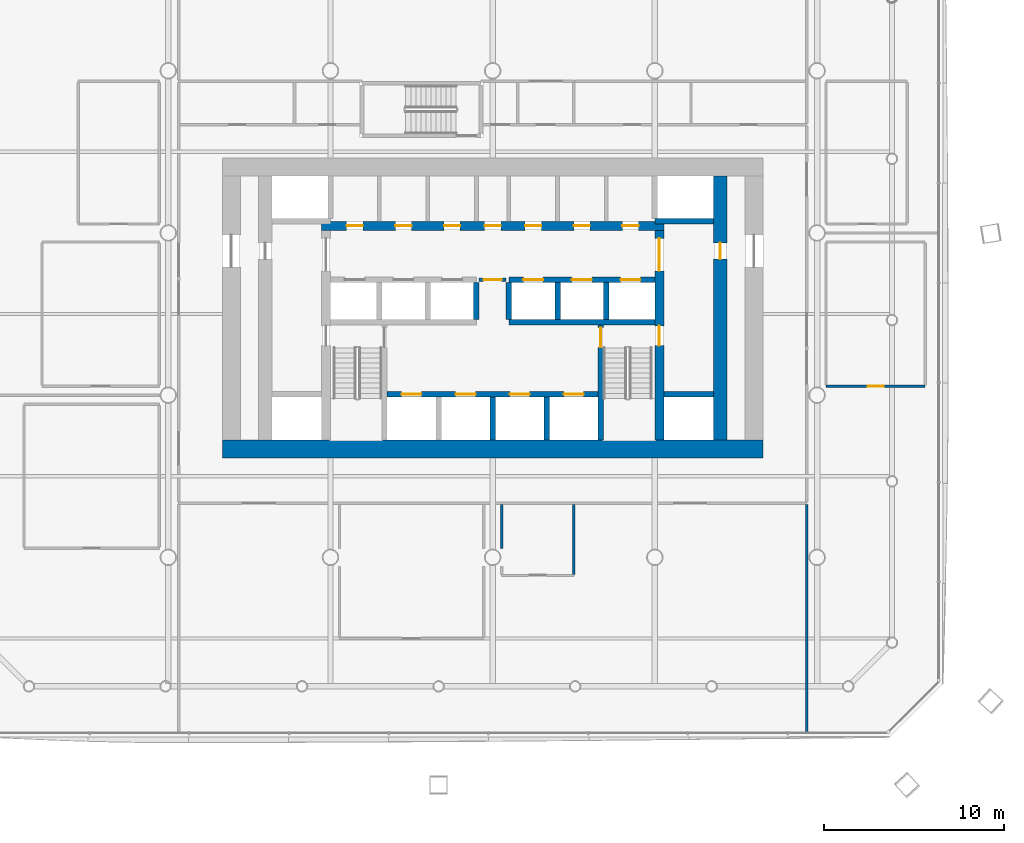
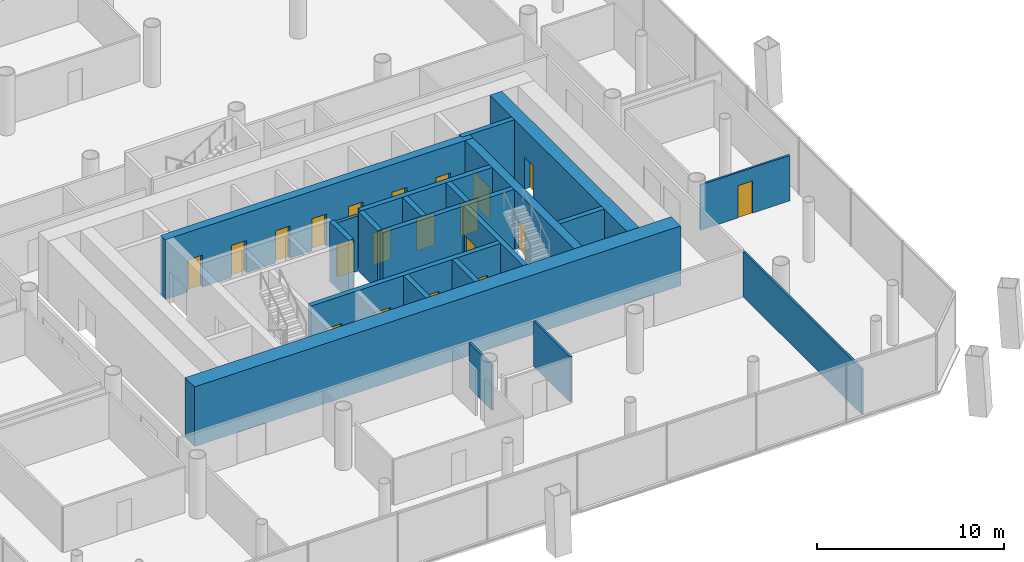
# One storey, part 16 of 23: 21 walls, 20 doors, 20 openings.
"""IFC4 building model written with IfcOpenShell, lengths in metres."""

from ifc_helpers import new_model, si_unit, direction, frame, frame_2d, origin, place, context, subcontext, project, spatial, rectangle, extrude, material, layer, layer_set, type_object, element, fill, save


model = new_model("IFC4")

# Units and contexts
model_context = context("Model", 3, precision=1e-05, world=origin(), true_north=direction((0.0, 1.0)))
body_context = subcontext(model_context, "Body", "Model", "MODEL_VIEW")
ifc_project = project(units=[si_unit("LENGTHUNIT", "METRE"), si_unit("AREAUNIT", "SQUARE_METRE"), si_unit("VOLUMEUNIT", "CUBIC_METRE"), si_unit("PLANEANGLEUNIT", "RADIAN"), si_unit("MASSUNIT", "GRAM", prefix="KILO")], contexts=[model_context])

# Site, building, storey
site_placement = place(None, origin())
site = spatial("IfcSite", under=ifc_project, at=site_placement, CompositionType="ELEMENT")
building_placement = place(site_placement, origin())
building = spatial("IfcBuilding", under=site, at=building_placement, Name="Tskaro Facet Tower", CompositionType="ELEMENT")
storey_placement = place(building_placement, frame((0.0, 0.0, 14.699951171875)))
storey = spatial("IfcBuildingStorey", under=building, at=storey_placement, Name="L02", CompositionType="ELEMENT", Elevation=14.699951171875)

# Wall, openings, doors
ifc_material_1 = material(Name="Concrete C60/75", Category="concrete")
ifc_layer_1 = layer(ifc_material_1, 0.300048828125, Name="Concrete C60/75")
ifc_layer_set_1 = layer_set([ifc_layer_1], Name="Concrete C60/75")
wall_type_1 = type_object("IfcWallType", Name="CORE-SHAFT", PredefinedType="SHEAR", material=ifc_layer_set_1)
wall_1_placement = place(storey_placement, frame((-5.85009765625, -8.949951171875, 0.0), z_axis=(0.0, 0.0, 1.0), x_axis=(1.0, 0.0, 0.0)))
wall_1 = element("IfcWall", 1, at=wall_1_placement, inside=storey, type_object=wall_type_1, Name="Shaft wall W008", PredefinedType="SHEAR", context=body_context, shape_type="SweptSolid", body=[
    extrude(rectangle(XDim=11.7001953125, YDim=0.300048828125, at=frame_2d((5.85009765625, 0.0))), origin(), (0.0, 0.0, 1.0), 3.900146484375),
])
opening_1_placement = place(wall_1_placement, frame((0.800048828125, 0.0, 0.0)))
opening_1 = element("IfcOpeningElement", 2, at=opening_1_placement, cuts=wall_1, Name="Opening LD-FF1", PredefinedType="OPENING", context=body_context, shape_type="SweptSolid", body=[
    extrude(rectangle(XDim=1.10009765625, YDim=2.10009765625, at=frame_2d((0.550048828125, 1.050048828125))), frame((0.0, 0.159912109375, 0.0), z_axis=(0.0, -1.0, 0.0), x_axis=(1.0, 0.0, 0.0)), (0.0, 0.0, 1.0), 0.320068359375),
])
opening_2_placement = place(wall_1_placement, frame((3.800048828125, 0.0, 0.0)))
opening_2 = element("IfcOpeningElement", 3, at=opening_2_placement, cuts=wall_1, Name="Opening LD-FF2", PredefinedType="OPENING", context=body_context, shape_type="SweptSolid", body=[
    extrude(rectangle(XDim=1.10009765625, YDim=2.10009765625, at=frame_2d((0.550048828125, 1.050048828125))), frame((0.0, 0.159912109375, 0.0), z_axis=(0.0, -1.0, 0.0), x_axis=(1.0, 0.0, 0.0)), (0.0, 0.0, 1.0), 0.320068359375),
])
opening_3_placement = place(wall_1_placement, frame((6.800048828125, 0.0, 0.0)))
opening_3 = element("IfcOpeningElement", 4, at=opening_3_placement, cuts=wall_1, Name="Opening LD-SV1", PredefinedType="OPENING", context=body_context, shape_type="SweptSolid", body=[
    extrude(rectangle(XDim=1.10009765625, YDim=2.10009765625, at=frame_2d((0.550048828125, 1.050048828125))), frame((0.0, 0.159912109375, 0.0), z_axis=(0.0, -1.0, 0.0), x_axis=(1.0, 0.0, 0.0)), (0.0, 0.0, 1.0), 0.320068359375),
])
opening_4_placement = place(wall_1_placement, frame((9.800048828125, 0.0, 0.0)))
opening_4 = element("IfcOpeningElement", 5, at=opening_4_placement, cuts=wall_1, Name="Opening LD-SV2", PredefinedType="OPENING", context=body_context, shape_type="SweptSolid", body=[
    extrude(rectangle(XDim=1.10009765625, YDim=2.10009765625, at=frame_2d((0.550048828125, 1.050048828125))), frame((0.0, 0.159912109375, 0.0), z_axis=(0.0, -1.0, 0.0), x_axis=(1.0, 0.0, 0.0)), (0.0, 0.0, 1.0), 0.320068359375),
])
ifc_material_2 = material(Name="Stainless steel", Category="steel")
door_type_1 = type_object("IfcDoorType", Name="D-LANDING", OperationType="NOTDEFINED", PredefinedType="DOOR", material=ifc_material_2)
door_1_placement = place(opening_1_placement, origin())
door_1 = element("IfcDoor", 6, at=door_1_placement, inside=storey, type_object=door_type_1, Name="Landing door FF1", OperationType="DOUBLE_DOOR_SLIDING", OverallHeight=2.10009765625, OverallWidth=1.10009765625, PredefinedType="DOOR", context=body_context, shape_type="SweptSolid", body=[
    extrude(rectangle(XDim=1.10009765625, YDim=2.10009765625, at=frame_2d((0.550048828125, 1.050048828125))), frame((0.0, 0.02490234375, 0.0), z_axis=(0.0, -1.0, 0.0), x_axis=(1.0, 0.0, 0.0)), (0.0, 0.0, 1.0), 0.050048828125),
])
fill(opening_1, door_1)
door_2_placement = place(opening_2_placement, origin())
door_2 = element("IfcDoor", 7, at=door_2_placement, inside=storey, type_object=door_type_1, Name="Landing door FF2", OperationType="DOUBLE_DOOR_SLIDING", OverallHeight=2.10009765625, OverallWidth=1.10009765625, PredefinedType="DOOR", context=body_context, shape_type="SweptSolid", body=[
    extrude(rectangle(XDim=1.10009765625, YDim=2.10009765625, at=frame_2d((0.550048828125, 1.050048828125))), frame((0.0, 0.02490234375, 0.0), z_axis=(0.0, -1.0, 0.0), x_axis=(1.0, 0.0, 0.0)), (0.0, 0.0, 1.0), 0.050048828125),
])
fill(opening_2, door_2)
door_3_placement = place(opening_3_placement, origin())
door_3 = element("IfcDoor", 8, at=door_3_placement, inside=storey, type_object=door_type_1, Name="Landing door SV1", OperationType="DOUBLE_DOOR_SLIDING", OverallHeight=2.10009765625, OverallWidth=1.10009765625, PredefinedType="DOOR", context=body_context, shape_type="SweptSolid", body=[
    extrude(rectangle(XDim=1.10009765625, YDim=2.10009765625, at=frame_2d((0.550048828125, 1.050048828125))), frame((0.0, 0.02490234375, 0.0), z_axis=(0.0, -1.0, 0.0), x_axis=(1.0, 0.0, 0.0)), (0.0, 0.0, 1.0), 0.050048828125),
])
fill(opening_3, door_3)
door_4_placement = place(opening_4_placement, origin())
door_4 = element("IfcDoor", 9, at=door_4_placement, inside=storey, type_object=door_type_1, Name="Landing door SV2", OperationType="DOUBLE_DOOR_SLIDING", OverallHeight=2.10009765625, OverallWidth=1.10009765625, PredefinedType="DOOR", context=body_context, shape_type="SweptSolid", body=[
    extrude(rectangle(XDim=1.10009765625, YDim=2.10009765625, at=frame_2d((0.550048828125, 1.050048828125))), frame((0.0, 0.02490234375, 0.0), z_axis=(0.0, -1.0, 0.0), x_axis=(1.0, 0.0, 0.0)), (0.0, 0.0, 1.0), 0.050048828125),
])
fill(opening_4, door_4)

# Walls
wall_2_placement = place(storey_placement, frame((9.5, -8.949951171875, 0.0), z_axis=(0.0, 0.0, 1.0), x_axis=(1.0, 0.0, 0.0)))
element("IfcWall", 10, at=wall_2_placement, inside=storey, type_object=wall_type_1, Name="Shaft wall W009", PredefinedType="SHEAR", context=body_context, shape_type="SweptSolid", body=[
    extrude(rectangle(XDim=2.75, YDim=0.300048828125, at=frame_2d((1.375, 0.0))), origin(), (0.0, 0.0, 1.0), 3.900146484375),
])
wall_3_placement = place(storey_placement, frame((0.89990234375, -4.949951171875, 0.0), z_axis=(0.0, 0.0, 1.0), x_axis=(1.0, 0.0, 0.0)))
element("IfcWall", 11, at=wall_3_placement, inside=storey, type_object=wall_type_1, Name="Shaft wall W013", PredefinedType="SHEAR", context=body_context, shape_type="SweptSolid", body=[
    extrude(rectangle(XDim=8.10009765625, YDim=0.300048828125, at=frame_2d((4.050048828125, 0.0))), origin(), (0.0, 0.0, 1.0), 3.900146484375),
])

# Wall, openings, doors
wall_4_placement = place(storey_placement, frame((0.89990234375, -2.60009765625, 0.0), z_axis=(0.0, 0.0, 1.0), x_axis=(1.0, 0.0, 0.0)))
wall_4 = element("IfcWall", 12, at=wall_4_placement, inside=storey, type_object=wall_type_1, Name="Shaft wall W016", PredefinedType="SHEAR", context=body_context, shape_type="SweptSolid", body=[
    extrude(rectangle(XDim=8.10009765625, YDim=0.300048828125, at=frame_2d((4.050048828125, 0.0))), origin(), (0.0, 0.0, 1.0), 3.900146484375),
])
opening_5_placement = place(wall_4_placement, frame((0.800048828125, 0.0, 0.0)))
opening_5 = element("IfcOpeningElement", 13, at=opening_5_placement, cuts=wall_4, Name="Opening LD-LR4", PredefinedType="OPENING", context=body_context, shape_type="SweptSolid", body=[
    extrude(rectangle(XDim=1.10009765625, YDim=2.10009765625, at=frame_2d((0.550048828125, 1.050048828125))), frame((0.0, 0.159912109375, 0.0), z_axis=(0.0, -1.0, 0.0), x_axis=(1.0, 0.0, 0.0)), (0.0, 0.0, 1.0), 0.320068359375),
])
opening_6_placement = place(wall_4_placement, frame((3.5, 0.0, 0.0)))
opening_6 = element("IfcOpeningElement", 14, at=opening_6_placement, cuts=wall_4, Name="Opening LD-LR5", PredefinedType="OPENING", context=body_context, shape_type="SweptSolid", body=[
    extrude(rectangle(XDim=1.10009765625, YDim=2.10009765625, at=frame_2d((0.550048828125, 1.050048828125))), frame((0.0, 0.159912109375, 0.0), z_axis=(0.0, -1.0, 0.0), x_axis=(1.0, 0.0, 0.0)), (0.0, 0.0, 1.0), 0.320068359375),
])
opening_7_placement = place(wall_4_placement, frame((6.199951171875, 0.0, 0.0)))
opening_7 = element("IfcOpeningElement", 15, at=opening_7_placement, cuts=wall_4, Name="Opening LD-LR6", PredefinedType="OPENING", context=body_context, shape_type="SweptSolid", body=[
    extrude(rectangle(XDim=1.10009765625, YDim=2.10009765625, at=frame_2d((0.550048828125, 1.050048828125))), frame((0.0, 0.159912109375, 0.0), z_axis=(0.0, -1.0, 0.0), x_axis=(1.0, 0.0, 0.0)), (0.0, 0.0, 1.0), 0.320068359375),
])
door_5_placement = place(opening_5_placement, origin())
door_5 = element("IfcDoor", 16, at=door_5_placement, inside=storey, type_object=door_type_1, Name="Landing door LR4", OperationType="DOUBLE_DOOR_SLIDING", OverallHeight=2.10009765625, OverallWidth=1.10009765625, PredefinedType="DOOR", context=body_context, shape_type="SweptSolid", body=[
    extrude(rectangle(XDim=1.10009765625, YDim=2.10009765625, at=frame_2d((0.550048828125, 1.050048828125))), frame((0.0, 0.02490234375, 0.0), z_axis=(0.0, -1.0, 0.0), x_axis=(1.0, 0.0, 0.0)), (0.0, 0.0, 1.0), 0.050048828125),
])
fill(opening_5, door_5)
door_6_placement = place(opening_6_placement, origin())
door_6 = element("IfcDoor", 17, at=door_6_placement, inside=storey, type_object=door_type_1, Name="Landing door LR5", OperationType="DOUBLE_DOOR_SLIDING", OverallHeight=2.10009765625, OverallWidth=1.10009765625, PredefinedType="DOOR", context=body_context, shape_type="SweptSolid", body=[
    extrude(rectangle(XDim=1.10009765625, YDim=2.10009765625, at=frame_2d((0.550048828125, 1.050048828125))), frame((0.0, 0.02490234375, 0.0), z_axis=(0.0, -1.0, 0.0), x_axis=(1.0, 0.0, 0.0)), (0.0, 0.0, 1.0), 0.050048828125),
])
fill(opening_6, door_6)
door_7_placement = place(opening_7_placement, origin())
door_7 = element("IfcDoor", 18, at=door_7_placement, inside=storey, type_object=door_type_1, Name="Landing door LR6", OperationType="DOUBLE_DOOR_SLIDING", OverallHeight=2.10009765625, OverallWidth=1.10009765625, PredefinedType="DOOR", context=body_context, shape_type="SweptSolid", body=[
    extrude(rectangle(XDim=1.10009765625, YDim=2.10009765625, at=frame_2d((0.550048828125, 1.050048828125))), frame((0.0, 0.02490234375, 0.0), z_axis=(0.0, -1.0, 0.0), x_axis=(1.0, 0.0, 0.0)), (0.0, 0.0, 1.0), 0.050048828125),
])
fill(opening_7, door_7)

# Walls
wall_5_placement = place(storey_placement, frame((12.25, 0.64990234375, 0.0), z_axis=(0.0, 0.0, 1.0), x_axis=(-1.0, 0.0, 0.0)))
element("IfcWall", 19, at=wall_5_placement, inside=storey, type_object=wall_type_1, Name="Shaft wall W023", PredefinedType="SHEAR", context=body_context, shape_type="SweptSolid", body=[
    extrude(rectangle(XDim=3.25, YDim=0.300048828125, at=frame_2d((1.625, 0.0))), origin(), (0.0, 0.0, 1.0), 3.900146484375),
])
wall_6_placement = place(storey_placement, frame((-0.89990234375, -4.800048828125, 0.0), z_axis=(0.0, 0.0, 1.0), x_axis=(0.0, 1.0, 0.0)))
element("IfcWall", 20, at=wall_6_placement, inside=storey, type_object=wall_type_1, Name="Shaft wall W057", PredefinedType="SHEAR", context=body_context, shape_type="SweptSolid", body=[
    extrude(rectangle(XDim=2.050048828125, YDim=0.300048828125, at=frame_2d((1.02490234375, 0.0))), origin(), (0.0, 0.0, 1.0), 3.900146484375),
])
wall_7_placement = place(storey_placement, frame((0.0, -11.5, 0.0), z_axis=(0.0, 0.0, 1.0), x_axis=(0.0, 1.0, 0.0)))
element("IfcWall", 21, at=wall_7_placement, inside=storey, type_object=wall_type_1, Name="Shaft wall W063", PredefinedType="SHEAR", context=body_context, shape_type="SweptSolid", body=[
    extrude(rectangle(XDim=2.39990234375, YDim=0.300048828125, at=frame_2d((1.199951171875, 0.0))), origin(), (0.0, 0.0, 1.0), 3.900146484375),
])
wall_8_placement = place(storey_placement, frame((0.89990234375, -4.800048828125, 0.0), z_axis=(0.0, 0.0, 1.0), x_axis=(0.0, 1.0, 0.0)))
element("IfcWall", 22, at=wall_8_placement, inside=storey, type_object=wall_type_1, Name="Shaft wall W066", PredefinedType="SHEAR", context=body_context, shape_type="SweptSolid", body=[
    extrude(rectangle(XDim=2.050048828125, YDim=0.300048828125, at=frame_2d((1.02490234375, 0.0))), origin(), (0.0, 0.0, 1.0), 3.900146484375),
])
wall_9_placement = place(storey_placement, frame((3.0, -11.5, 0.0), z_axis=(0.0, 0.0, 1.0), x_axis=(0.0, 1.0, 0.0)))
element("IfcWall", 23, at=wall_9_placement, inside=storey, type_object=wall_type_1, Name="Shaft wall W069", PredefinedType="SHEAR", context=body_context, shape_type="SweptSolid", body=[
    extrude(rectangle(XDim=2.39990234375, YDim=0.300048828125, at=frame_2d((1.199951171875, 0.0))), origin(), (0.0, 0.0, 1.0), 3.900146484375),
])
wall_10_placement = place(storey_placement, frame((3.60009765625, -4.800048828125, 0.0), z_axis=(0.0, 0.0, 1.0), x_axis=(0.0, 1.0, 0.0)))
element("IfcWall", 24, at=wall_10_placement, inside=storey, type_object=wall_type_1, Name="Shaft wall W070", PredefinedType="SHEAR", context=body_context, shape_type="SweptSolid", body=[
    extrude(rectangle(XDim=2.050048828125, YDim=0.300048828125, at=frame_2d((1.02490234375, 0.0))), origin(), (0.0, 0.0, 1.0), 3.900146484375),
])

# Wall, opening, door
wall_11_placement = place(storey_placement, frame((6.0, -5.10009765625, 0.0), z_axis=(0.0, 0.0, 1.0), x_axis=(0.0, -1.0, 0.0)))
wall_11 = element("IfcWall", 25, at=wall_11_placement, inside=storey, type_object=wall_type_1, Name="Shaft wall W074", PredefinedType="SHEAR", context=body_context, shape_type="SweptSolid", body=[
    extrude(rectangle(XDim=6.39990234375, YDim=0.300048828125, at=frame_2d((3.199951171875, 0.0))), origin(), (0.0, 0.0, 1.0), 3.900146484375),
])
opening_8_placement = place(wall_11_placement, frame((0.14990234375, 0.0, 0.0)))
opening_8 = element("IfcOpeningElement", 26, at=opening_8_placement, cuts=wall_11, Name="Opening ST-2-D1", PredefinedType="OPENING", context=body_context, shape_type="SweptSolid", body=[
    extrude(rectangle(XDim=1.10009765625, YDim=2.10009765625, at=frame_2d((0.550048828125, 1.050048828125))), frame((0.0, 0.159912109375, 0.0), z_axis=(0.0, -1.0, 0.0), x_axis=(1.0, 0.0, 0.0)), (0.0, 0.0, 1.0), 0.320068359375),
])
ifc_material_3 = material(Name="Steel", Category="steel")
door_type_2 = type_object("IfcDoorType", Name="D-STAIR", OperationType="NOTDEFINED", PredefinedType="DOOR", material=ifc_material_3)
door_8_placement = place(opening_8_placement, origin())
door_8 = element("IfcDoor", 27, at=door_8_placement, inside=storey, type_object=door_type_2, Name="Stair door 2", OperationType="SINGLE_SWING_RIGHT", OverallHeight=2.10009765625, OverallWidth=1.10009765625, PredefinedType="DOOR", context=body_context, shape_type="SweptSolid", body=[
    extrude(rectangle(XDim=1.10009765625, YDim=2.10009765625, at=frame_2d((0.550048828125, 1.050048828125))), frame((0.0, 0.02490234375, 0.0), z_axis=(0.0, -1.0, 0.0), x_axis=(1.0, 0.0, 0.0)), (0.0, 0.0, 1.0), 0.050048828125),
])
fill(opening_8, door_8)

# Wall
wall_12_placement = place(storey_placement, frame((6.300048828125, -4.800048828125, 0.0), z_axis=(0.0, 0.0, 1.0), x_axis=(0.0, 1.0, 0.0)))
element("IfcWall", 28, at=wall_12_placement, inside=storey, type_object=wall_type_1, Name="Shaft wall W075", PredefinedType="SHEAR", context=body_context, shape_type="SweptSolid", body=[
    extrude(rectangle(XDim=2.050048828125, YDim=0.300048828125, at=frame_2d((1.02490234375, 0.0))), origin(), (0.0, 0.0, 1.0), 3.900146484375),
])

# Wall, opening, door
ifc_material_4 = material(Name="Concrete C20/25", Category="concrete")
ifc_layer_2 = layer(ifc_material_4, 0.199951171875, Name="Concrete C20/25")
ifc_layer_set_2 = layer_set([ifc_layer_2], Name="Concrete C20/25")
wall_type_2 = type_object("IfcWallType", Name="CORE-WALL", PredefinedType="SOLIDWALL", material=ifc_layer_set_2)
wall_13_placement = place(storey_placement, frame((0.75, -2.60009765625, 0.0), z_axis=(0.0, 0.0, 1.0), x_axis=(-1.0, 0.0, 0.0)))
wall_13 = element("IfcWall", 29, at=wall_13_placement, inside=storey, type_object=wall_type_2, Name="Core room wall W015", PredefinedType="SOLIDWALL", context=body_context, shape_type="SweptSolid", body=[
    extrude(rectangle(XDim=1.5, YDim=0.199951171875, at=frame_2d((0.75, 0.0))), origin(), (0.0, 0.0, 1.0), 3.60009765625),
])
opening_9_placement = place(wall_13_placement, frame((0.25, 0.0, 0.0)))
opening_9 = element("IfcOpeningElement", 30, at=opening_9_placement, cuts=wall_13, Name="Opening FL-D1", PredefinedType="OPENING", context=body_context, shape_type="SweptSolid", body=[
    extrude(rectangle(XDim=1.0, YDim=2.10009765625, at=frame_2d((0.5, 1.050048828125))), frame((0.0, 0.10986328125, 0.0), z_axis=(0.0, -1.0, 0.0), x_axis=(1.0, 0.0, 0.0)), (0.0, 0.0, 1.0), 0.219970703125),
])
door_type_3 = type_object("IfcDoorType", Name="D-LOBBY", OperationType="NOTDEFINED", PredefinedType="DOOR", material=ifc_material_3)
door_9_placement = place(opening_9_placement, origin())
door_9 = element("IfcDoor", 31, at=door_9_placement, inside=storey, type_object=door_type_3, Name="Lobby door FL", OperationType="SINGLE_SWING_RIGHT", OverallHeight=2.10009765625, OverallWidth=1.0, PredefinedType="DOOR", context=body_context, shape_type="SweptSolid", body=[
    extrude(rectangle(XDim=1.0, YDim=2.10009765625, at=frame_2d((0.5, 1.050048828125))), frame((0.0, 0.02490234375, 0.0), z_axis=(0.0, -1.0, 0.0), x_axis=(1.0, 0.0, 0.0)), (0.0, 0.0, 1.0), 0.050048828125),
])
fill(opening_9, door_9)

# Wall
ifc_layer_3 = layer(ifc_material_1, 1.0, Name="Concrete C60/75")
ifc_layer_set_3 = layer_set([ifc_layer_3], Name="Concrete C60/75")
wall_type_3 = type_object("IfcWallType", Name="Core wall 1000", PredefinedType="SHEAR", material=ifc_layer_set_3)
wall_14_placement = place(storey_placement, frame((-15.0, -12.0, 0.0), z_axis=(0.0, 0.0, 1.0), x_axis=(1.0, 0.0, 0.0)))
element("IfcWall", 32, at=wall_14_placement, inside=storey, type_object=wall_type_3, Name="Core wall CW-Z1S", PredefinedType="SHEAR", context=body_context, shape_type="SweptSolid", body=[
    extrude(rectangle(XDim=30.0, YDim=1.0, at=frame_2d((15.0, 0.0))), origin(), (0.0, 0.0, 1.0), 3.900146484375),
])

# Wall, openings, doors
ifc_material_5 = material(Name="Concrete C40/50", Category="concrete")
ifc_layer_4 = layer(ifc_material_5, 0.5, Name="Concrete C40/50")
ifc_layer_set_4 = layer_set([ifc_layer_4], Name="Concrete C40/50")
wall_type_4 = type_object("IfcWallType", Name="Core wall 500", PredefinedType="SHEAR", material=ifc_layer_set_4)
wall_15_placement = place(storey_placement, frame((-9.5, 0.39990234375, 0.0), z_axis=(0.0, 0.0, 1.0), x_axis=(1.0, 0.0, 0.0)))
wall_15 = element("IfcWall", 33, at=wall_15_placement, inside=storey, type_object=wall_type_4, Name="Core wall CW-Z3N", PredefinedType="SHEAR", context=body_context, shape_type="SweptSolid", body=[
    extrude(rectangle(XDim=19.0, YDim=0.5, at=frame_2d((9.5, 0.0))), origin(), (0.0, 0.0, 1.0), 3.900146484375),
])
opening_10_placement = place(wall_15_placement, frame((1.39990234375, 0.0, 0.0)))
opening_10 = element("IfcOpeningElement", 34, at=opening_10_placement, cuts=wall_15, Name="Opening T0-D21", PredefinedType="OPENING", context=body_context, shape_type="SweptSolid", body=[
    extrude(rectangle(XDim=0.89990234375, YDim=2.10009765625, at=frame_2d((0.449951171875, 1.050048828125))), frame((0.0, 0.260009765625, 0.0), z_axis=(0.0, -1.0, 0.0), x_axis=(1.0, 0.0, 0.0)), (0.0, 0.0, 1.0), 0.52001953125),
])
opening_11_placement = place(wall_15_placement, frame((4.10009765625, 0.0, 0.0)))
opening_11 = element("IfcOpeningElement", 35, at=opening_11_placement, cuts=wall_15, Name="Opening T0-D22", PredefinedType="OPENING", context=body_context, shape_type="SweptSolid", body=[
    extrude(rectangle(XDim=0.89990234375, YDim=2.10009765625, at=frame_2d((0.449951171875, 1.050048828125))), frame((0.0, 0.260009765625, 0.0), z_axis=(0.0, -1.0, 0.0), x_axis=(1.0, 0.0, 0.0)), (0.0, 0.0, 1.0), 0.52001953125),
])
opening_12_placement = place(wall_15_placement, frame((6.800048828125, 0.0, 0.0)))
opening_12 = element("IfcOpeningElement", 36, at=opening_12_placement, cuts=wall_15, Name="Opening T0-D23", PredefinedType="OPENING", context=body_context, shape_type="SweptSolid", body=[
    extrude(rectangle(XDim=0.89990234375, YDim=2.10009765625, at=frame_2d((0.449951171875, 1.050048828125))), frame((0.0, 0.260009765625, 0.0), z_axis=(0.0, -1.0, 0.0), x_axis=(1.0, 0.0, 0.0)), (0.0, 0.0, 1.0), 0.52001953125),
])
opening_13_placement = place(wall_15_placement, frame((11.300048828125, 0.0, 0.0)))
opening_13 = element("IfcOpeningElement", 37, at=opening_13_placement, cuts=wall_15, Name="Opening T0-D25", PredefinedType="OPENING", context=body_context, shape_type="SweptSolid", body=[
    extrude(rectangle(XDim=0.89990234375, YDim=2.10009765625, at=frame_2d((0.449951171875, 1.050048828125))), frame((0.0, 0.260009765625, 0.0), z_axis=(0.0, -1.0, 0.0), x_axis=(1.0, 0.0, 0.0)), (0.0, 0.0, 1.0), 0.52001953125),
])
opening_14_placement = place(wall_15_placement, frame((14.0, 0.0, 0.0)))
opening_14 = element("IfcOpeningElement", 38, at=opening_14_placement, cuts=wall_15, Name="Opening T0-D26", PredefinedType="OPENING", context=body_context, shape_type="SweptSolid", body=[
    extrude(rectangle(XDim=0.89990234375, YDim=2.10009765625, at=frame_2d((0.449951171875, 1.050048828125))), frame((0.0, 0.260009765625, 0.0), z_axis=(0.0, -1.0, 0.0), x_axis=(1.0, 0.0, 0.0)), (0.0, 0.0, 1.0), 0.52001953125),
])
opening_15_placement = place(wall_15_placement, frame((16.699951171875, 0.0, 0.0)))
opening_15 = element("IfcOpeningElement", 39, at=opening_15_placement, cuts=wall_15, Name="Opening T0-D27", PredefinedType="OPENING", context=body_context, shape_type="SweptSolid", body=[
    extrude(rectangle(XDim=0.89990234375, YDim=2.10009765625, at=frame_2d((0.449951171875, 1.050048828125))), frame((0.0, 0.260009765625, 0.0), z_axis=(0.0, -1.0, 0.0), x_axis=(1.0, 0.0, 0.0)), (0.0, 0.0, 1.0), 0.52001953125),
])
opening_16_placement = place(wall_15_placement, frame((9.050048828125, 0.0, 0.0)))
opening_16 = element("IfcOpeningElement", 40, at=opening_16_placement, cuts=wall_15, Name="Opening T0-D24", PredefinedType="OPENING", context=body_context, shape_type="SweptSolid", body=[
    extrude(rectangle(XDim=0.89990234375, YDim=2.10009765625, at=frame_2d((0.449951171875, 1.050048828125))), frame((0.0, 0.260009765625, 0.0), z_axis=(0.0, -1.0, 0.0), x_axis=(1.0, 0.0, 0.0)), (0.0, 0.0, 1.0), 0.52001953125),
])
door_type_4 = type_object("IfcDoorType", Name="D-RISER", OperationType="NOTDEFINED", PredefinedType="DOOR", material=ifc_material_3)
door_10_placement = place(opening_16_placement, origin())
door_10 = element("IfcDoor", 41, at=door_10_placement, inside=storey, type_object=door_type_4, Name="Door T0-D24", OperationType="SINGLE_SWING_LEFT", OverallHeight=2.10009765625, OverallWidth=0.89990234375, PredefinedType="DOOR", context=body_context, shape_type="SweptSolid", body=[
    extrude(rectangle(XDim=0.89990234375, YDim=2.10009765625, at=frame_2d((0.449951171875, 1.050048828125))), frame((0.0, 0.02490234375, 0.0), z_axis=(0.0, -1.0, 0.0), x_axis=(1.0, 0.0, 0.0)), (0.0, 0.0, 1.0), 0.050048828125),
])
fill(opening_16, door_10)
ifc_material_6 = material(Name="Timber", Category="wood")
door_type_5 = type_object("IfcDoorType", Name="D-ROOM", OperationType="NOTDEFINED", PredefinedType="DOOR", material=ifc_material_6)
door_11_placement = place(opening_10_placement, origin())
door_11 = element("IfcDoor", 42, at=door_11_placement, inside=storey, type_object=door_type_5, Name="Door T0-D21", OperationType="SINGLE_SWING_LEFT", OverallHeight=2.10009765625, OverallWidth=0.89990234375, PredefinedType="DOOR", context=body_context, shape_type="SweptSolid", body=[
    extrude(rectangle(XDim=0.89990234375, YDim=2.10009765625, at=frame_2d((0.449951171875, 1.050048828125))), frame((0.0, 0.02490234375, 0.0), z_axis=(0.0, -1.0, 0.0), x_axis=(1.0, 0.0, 0.0)), (0.0, 0.0, 1.0), 0.050048828125),
])
fill(opening_10, door_11)
door_12_placement = place(opening_11_placement, origin())
door_12 = element("IfcDoor", 43, at=door_12_placement, inside=storey, type_object=door_type_5, Name="Door T0-D22", OperationType="SINGLE_SWING_LEFT", OverallHeight=2.10009765625, OverallWidth=0.89990234375, PredefinedType="DOOR", context=body_context, shape_type="SweptSolid", body=[
    extrude(rectangle(XDim=0.89990234375, YDim=2.10009765625, at=frame_2d((0.449951171875, 1.050048828125))), frame((0.0, 0.02490234375, 0.0), z_axis=(0.0, -1.0, 0.0), x_axis=(1.0, 0.0, 0.0)), (0.0, 0.0, 1.0), 0.050048828125),
])
fill(opening_11, door_12)
door_13_placement = place(opening_12_placement, origin())
door_13 = element("IfcDoor", 44, at=door_13_placement, inside=storey, type_object=door_type_5, Name="Door T0-D23", OperationType="SINGLE_SWING_LEFT", OverallHeight=2.10009765625, OverallWidth=0.89990234375, PredefinedType="DOOR", context=body_context, shape_type="SweptSolid", body=[
    extrude(rectangle(XDim=0.89990234375, YDim=2.10009765625, at=frame_2d((0.449951171875, 1.050048828125))), frame((0.0, 0.02490234375, 0.0), z_axis=(0.0, -1.0, 0.0), x_axis=(1.0, 0.0, 0.0)), (0.0, 0.0, 1.0), 0.050048828125),
])
fill(opening_12, door_13)
door_14_placement = place(opening_13_placement, origin())
door_14 = element("IfcDoor", 45, at=door_14_placement, inside=storey, type_object=door_type_5, Name="Door T0-D25", OperationType="SINGLE_SWING_LEFT", OverallHeight=2.10009765625, OverallWidth=0.89990234375, PredefinedType="DOOR", context=body_context, shape_type="SweptSolid", body=[
    extrude(rectangle(XDim=0.89990234375, YDim=2.10009765625, at=frame_2d((0.449951171875, 1.050048828125))), frame((0.0, 0.02490234375, 0.0), z_axis=(0.0, -1.0, 0.0), x_axis=(1.0, 0.0, 0.0)), (0.0, 0.0, 1.0), 0.050048828125),
])
fill(opening_13, door_14)
door_15_placement = place(opening_14_placement, origin())
door_15 = element("IfcDoor", 46, at=door_15_placement, inside=storey, type_object=door_type_5, Name="Door T0-D26", OperationType="SINGLE_SWING_LEFT", OverallHeight=2.10009765625, OverallWidth=0.89990234375, PredefinedType="DOOR", context=body_context, shape_type="SweptSolid", body=[
    extrude(rectangle(XDim=0.89990234375, YDim=2.10009765625, at=frame_2d((0.449951171875, 1.050048828125))), frame((0.0, 0.02490234375, 0.0), z_axis=(0.0, -1.0, 0.0), x_axis=(1.0, 0.0, 0.0)), (0.0, 0.0, 1.0), 0.050048828125),
])
fill(opening_14, door_15)
door_16_placement = place(opening_15_placement, origin())
door_16 = element("IfcDoor", 47, at=door_16_placement, inside=storey, type_object=door_type_5, Name="Door T0-D27", OperationType="SINGLE_SWING_LEFT", OverallHeight=2.10009765625, OverallWidth=0.89990234375, PredefinedType="DOOR", context=body_context, shape_type="SweptSolid", body=[
    extrude(rectangle(XDim=0.89990234375, YDim=2.10009765625, at=frame_2d((0.449951171875, 1.050048828125))), frame((0.0, 0.02490234375, 0.0), z_axis=(0.0, -1.0, 0.0), x_axis=(1.0, 0.0, 0.0)), (0.0, 0.0, 1.0), 0.050048828125),
])
fill(opening_15, door_16)

wall_16_placement = place(storey_placement, frame((9.25, -11.5, 0.0), z_axis=(0.0, 0.0, 1.0), x_axis=(0.0, 1.0, 0.0)))
wall_16 = element("IfcWall", 48, at=wall_16_placement, inside=storey, type_object=wall_type_4, Name="Core wall CW-Z3E", PredefinedType="SHEAR", context=body_context, shape_type="SweptSolid", body=[
    extrude(rectangle(XDim=11.64990234375, YDim=0.5, at=frame_2d((5.824951171875, 0.0))), origin(), (0.0, 0.0, 1.0), 3.900146484375),
])
opening_17_placement = place(wall_16_placement, frame((9.39990234375, 0.0, 0.0)))
opening_17 = element("IfcOpeningElement", 49, at=opening_17_placement, cuts=wall_16, Name="Opening T0-D16", PredefinedType="OPENING", context=body_context, shape_type="SweptSolid", body=[
    extrude(rectangle(XDim=1.800048828125, YDim=2.10009765625, at=frame_2d((0.89990234375, 1.050048828125))), frame((0.0, 0.260009765625, 0.0), z_axis=(0.0, -1.0, 0.0), x_axis=(1.0, 0.0, 0.0)), (0.0, 0.0, 1.0), 0.52001953125),
])
opening_18_placement = place(wall_16_placement, frame((5.25, 0.0, 0.0)))
opening_18 = element("IfcOpeningElement", 50, at=opening_18_placement, cuts=wall_16, Name="Opening ST-2-D2", PredefinedType="OPENING", context=body_context, shape_type="SweptSolid", body=[
    extrude(rectangle(XDim=1.10009765625, YDim=2.10009765625, at=frame_2d((0.550048828125, 1.050048828125))), frame((0.0, 0.260009765625, 0.0), z_axis=(0.0, -1.0, 0.0), x_axis=(1.0, 0.0, 0.0)), (0.0, 0.0, 1.0), 0.52001953125),
])
door_type_6 = type_object("IfcDoorType", Name="D-CORE-PAIR", OperationType="NOTDEFINED", PredefinedType="DOOR", material=ifc_material_3)
door_17_placement = place(opening_17_placement, origin())
door_17 = element("IfcDoor", 51, at=door_17_placement, inside=storey, type_object=door_type_6, Name="Door T0-D16", OperationType="DOUBLE_DOOR_SINGLE_SWING", OverallHeight=2.10009765625, OverallWidth=1.800048828125, PredefinedType="DOOR", context=body_context, shape_type="SweptSolid", body=[
    extrude(rectangle(XDim=1.800048828125, YDim=2.10009765625, at=frame_2d((0.89990234375, 1.050048828125))), frame((0.0, 0.02490234375, 0.0), z_axis=(0.0, -1.0, 0.0), x_axis=(1.0, 0.0, 0.0)), (0.0, 0.0, 1.0), 0.050048828125),
])
fill(opening_17, door_17)
door_18_placement = place(opening_18_placement, origin())
door_18 = element("IfcDoor", 52, at=door_18_placement, inside=storey, type_object=door_type_2, Name="Stair door 2 east", OperationType="SINGLE_SWING_LEFT", OverallHeight=2.10009765625, OverallWidth=1.10009765625, PredefinedType="DOOR", context=body_context, shape_type="SweptSolid", body=[
    extrude(rectangle(XDim=1.10009765625, YDim=2.10009765625, at=frame_2d((0.550048828125, 1.050048828125))), frame((0.0, 0.02490234375, 0.0), z_axis=(0.0, -1.0, 0.0), x_axis=(1.0, 0.0, 0.0)), (0.0, 0.0, 1.0), 0.050048828125),
])
fill(opening_18, door_18)

# Wall, opening, door
ifc_material_7 = material(Name="Concrete C50/60", Category="concrete")
ifc_layer_5 = layer(ifc_material_7, 0.75, Name="Concrete C50/60")
ifc_layer_set_5 = layer_set([ifc_layer_5], Name="Concrete C50/60")
wall_type_5 = type_object("IfcWallType", Name="Core wall 750", PredefinedType="SHEAR", material=ifc_layer_set_5)
wall_17_placement = place(storey_placement, frame((12.625, -11.5, 0.0), z_axis=(0.0, 0.0, 1.0), x_axis=(0.0, 1.0, 0.0)))
wall_17 = element("IfcWall", 53, at=wall_17_placement, inside=storey, type_object=wall_type_5, Name="Core wall CW-Z2E", PredefinedType="SHEAR", context=body_context, shape_type="SweptSolid", body=[
    extrude(rectangle(XDim=14.64990234375, YDim=0.75, at=frame_2d((7.324951171875, 0.0))), origin(), (0.0, 0.0, 1.0), 3.900146484375),
])
opening_19_placement = place(wall_17_placement, frame((10.050048828125, 0.0, 0.0)))
opening_19 = element("IfcOpeningElement", 54, at=opening_19_placement, cuts=wall_17, Name="Opening T0-D19", PredefinedType="OPENING", context=body_context, shape_type="SweptSolid", body=[
    extrude(rectangle(XDim=0.89990234375, YDim=2.10009765625, at=frame_2d((0.449951171875, 1.050048828125))), frame((0.0, 0.385009765625, 0.0), z_axis=(0.0, -1.0, 0.0), x_axis=(1.0, 0.0, 0.0)), (0.0, 0.0, 1.0), 0.77001953125),
])
door_19_placement = place(opening_19_placement, origin())
door_19 = element("IfcDoor", 55, at=door_19_placement, inside=storey, type_object=door_type_5, Name="Door T0-D19", OperationType="SINGLE_SWING_LEFT", OverallHeight=2.10009765625, OverallWidth=0.89990234375, PredefinedType="DOOR", context=body_context, shape_type="SweptSolid", body=[
    extrude(rectangle(XDim=0.89990234375, YDim=2.10009765625, at=frame_2d((0.449951171875, 1.050048828125))), frame((0.0, 0.02490234375, 0.0), z_axis=(0.0, -1.0, 0.0), x_axis=(1.0, 0.0, 0.0)), (0.0, 0.0, 1.0), 0.050048828125),
])
fill(opening_19, door_19)

ifc_material_8 = material(Name="Gypsum board on steel studs", Category="steel")
ifc_layer_6 = layer(ifc_material_8, 0.125, Name="Gypsum board on steel studs")
ifc_layer_set_6 = layer_set([ifc_layer_6], Name="Gypsum board on steel studs")
wall_type_6 = type_object("IfcWallType", Name="PART", PredefinedType="PARTITIONING", material=ifc_layer_set_6)
wall_18_placement = place(storey_placement, frame((18.5, -8.5, 0.0), z_axis=(0.0, 0.0, 1.0), x_axis=(1.0, 0.0, 0.0)))
wall_18 = element("IfcWall", 56, at=wall_18_placement, inside=storey, type_object=wall_type_6, Name="Partition W011", PredefinedType="PARTITIONING", context=body_context, shape_type="SweptSolid", body=[
    extrude(rectangle(XDim=5.5, YDim=0.125, at=frame_2d((2.75, 0.0))), origin(), (0.0, 0.0, 1.0), 2.9599609375),
])
opening_20_placement = place(wall_18_placement, frame((2.300048828125, 0.0, 0.0)))
opening_20 = element("IfcOpeningElement", 57, at=opening_20_placement, cuts=wall_18, Name="Opening T0-D10", PredefinedType="OPENING", context=body_context, shape_type="SweptSolid", body=[
    extrude(rectangle(XDim=0.89990234375, YDim=2.10009765625, at=frame_2d((0.449951171875, 1.050048828125))), frame((0.0, 0.072509765625, 0.0), z_axis=(0.0, -1.0, 0.0), x_axis=(1.0, 0.0, 0.0)), (0.0, 0.0, 1.0), 0.14501953125),
])
door_20_placement = place(opening_20_placement, origin())
door_20 = element("IfcDoor", 58, at=door_20_placement, inside=storey, type_object=door_type_5, Name="Door T0-D10", OperationType="SINGLE_SWING_LEFT", OverallHeight=2.10009765625, OverallWidth=0.89990234375, PredefinedType="DOOR", context=body_context, shape_type="SweptSolid", body=[
    extrude(rectangle(XDim=0.89990234375, YDim=2.10009765625, at=frame_2d((0.449951171875, 1.050048828125))), frame((0.0, 0.02490234375, 0.0), z_axis=(0.0, -1.0, 0.0), x_axis=(1.0, 0.0, 0.0)), (0.0, 0.0, 1.0), 0.050048828125),
])
fill(opening_20, door_20)

# Walls
wall_19_placement = place(storey_placement, frame((0.5, -17.5, 0.0), z_axis=(0.0, 0.0, 1.0), x_axis=(0.0, 1.0, 0.0)))
element("IfcWall", 59, at=wall_19_placement, inside=storey, type_object=wall_type_6, Name="Partition W065", PredefinedType="PARTITIONING", context=body_context, shape_type="SweptSolid", body=[
    extrude(rectangle(XDim=2.425048828125, YDim=0.125, at=frame_2d((1.21240234375, 0.0))), origin(), (0.0, 0.0, 1.0), 2.9599609375),
])
wall_20_placement = place(storey_placement, frame((4.5, -18.9375, 0.0), z_axis=(0.0, 0.0, 1.0), x_axis=(0.0, 1.0, 0.0)))
element("IfcWall", 60, at=wall_20_placement, inside=storey, type_object=wall_type_6, Name="Partition W072", PredefinedType="PARTITIONING", context=body_context, shape_type="SweptSolid", body=[
    extrude(rectangle(XDim=3.862548828125, YDim=0.125, at=frame_2d((1.93115234375, 0.0))), origin(), (0.0, 0.0, 1.0), 2.9599609375),
])
wall_21_placement = place(storey_placement, frame((17.425048828125, -27.699951171875, 0.0), z_axis=(0.0, 0.0, 1.0), x_axis=(0.0, 1.0, 0.0)))
element("IfcWall", 61, at=wall_21_placement, inside=storey, type_object=wall_type_6, Name="Partition W079", PredefinedType="PARTITIONING", context=body_context, shape_type="SweptSolid", body=[
    extrude(rectangle(XDim=12.625, YDim=0.125, at=frame_2d((6.3125, 0.0))), origin(), (0.0, 0.0, 1.0), 2.9599609375),
])

save(model, "model.ifc")
